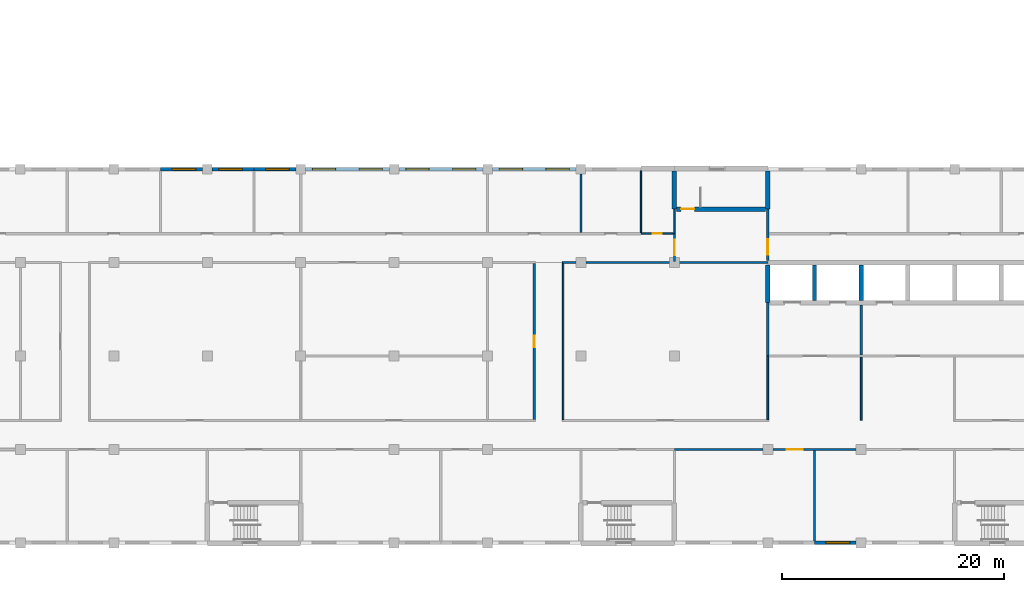
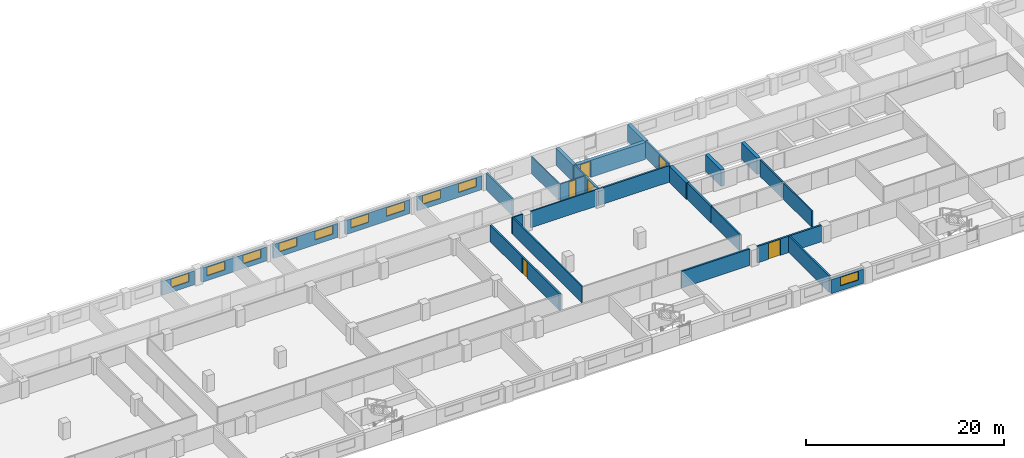
# One storey, part 35 of 48: 31 walls, 10 windows, 6 doors, 16 openings.
"""IFC4 building model written with IfcOpenShell, lengths in metres."""

from ifc_helpers import new_model, si_unit, direction, frame, frame_2d, origin, place, context, subcontext, project, spatial, rectangle, extrude, material, layer, layer_set, type_object, element, fill, save


model = new_model("IFC4")

# Units and contexts
model_context = context("Model", 3, precision=1e-05, world=origin(), true_north=direction((0.0, 1.0)))
body_context = subcontext(model_context, "Body", "Model", "MODEL_VIEW")
ifc_project = project(units=[si_unit("LENGTHUNIT", "METRE"), si_unit("AREAUNIT", "SQUARE_METRE"), si_unit("VOLUMEUNIT", "CUBIC_METRE"), si_unit("PLANEANGLEUNIT", "RADIAN"), si_unit("MASSUNIT", "GRAM", prefix="KILO")], contexts=[model_context])

# Site, building, storey
site_placement = place(None, origin())
site = spatial("IfcSite", under=ifc_project, at=site_placement, CompositionType="ELEMENT")
building_placement = place(site_placement, origin())
building = spatial("IfcBuilding", under=site, at=building_placement, Name="Yavir Park General Hospital", CompositionType="ELEMENT")
storey_placement = place(building_placement, frame((0.0, 0.0, 12.89990234375)))
storey = spatial("IfcBuildingStorey", under=building, at=storey_placement, Name="I02", CompositionType="ELEMENT", Elevation=12.89990234375)

# Wall
ifc_material_1 = material(Name="Double gypsum board fire partition on steel studs", Category="steel")
ifc_layer_1 = layer(ifc_material_1, 0.199951171875)
ifc_layer_set_1 = layer_set([ifc_layer_1], Name="Double gypsum board fire partition on steel studs")
wall_type_1 = type_object("IfcWallType", Name="Fire-rated partition 200, EI 60", PredefinedType="PARTITIONING", material=ifc_layer_set_1)
wall_1_placement = place(storey_placement, frame((109.199951171875, 25.199951171875, 0.0), z_axis=(0.0, 0.0, 1.0), x_axis=(1.0, 0.0, 0.0)))
element("IfcWall", 1, at=wall_1_placement, inside=storey, type_object=wall_type_1, Name="FP20 I02-056", PredefinedType="PARTITIONING", context=body_context, shape_type="SweptSolid", body=[
    extrude(rectangle(XDim=8.400146484375, YDim=0.199951171875, at=frame_2d((4.2001953125, 0.0))), origin(), (0.0, 0.0, 1.0), 2.0400390625),
])

# Wall, opening, door
wall_2_placement = place(storey_placement, frame((109.199951171875, 25.300048828125, 0.0), z_axis=(0.0, 0.0, 1.0), x_axis=(0.0, 1.0, 0.0)))
wall_2 = element("IfcWall", 2, at=wall_2_placement, inside=storey, type_object=wall_type_1, Name="FP20 I02-174", PredefinedType="PARTITIONING", context=body_context, shape_type="SweptSolid", body=[
    extrude(rectangle(XDim=2.5, YDim=0.199951171875, at=frame_2d((1.25, 0.0))), origin(), (0.0, 0.0, 1.0), 2.10009765625),
])
opening_1_placement = place(wall_2_placement, frame((0.550048828125, 0.0, 0.0)))
opening_1 = element("IfcOpeningElement", 3, at=opening_1_placement, cuts=wall_2, Name="Opening I02.D084", PredefinedType="OPENING", context=body_context, shape_type="SweptSolid", body=[
    extrude(rectangle(XDim=1.39990234375, YDim=2.0, at=frame_2d((0.699951171875, 1.0))), frame((0.0, 0.10986328125, 0.0), z_axis=(0.0, -1.0, 0.0), x_axis=(1.0, 0.0, 0.0)), (0.0, 0.0, 1.0), 0.219970703125),
])
ifc_material_2 = material(Name="Steel frame, fire-resisting leaves with vision panels", Category="steel")
door_type_1 = type_object("IfcDoorType", Name="Double fire door with vision panels 1400 x 2000, EI 60", OperationType="DOUBLE_DOOR_SINGLE_SWING", PredefinedType="DOOR", material=ifc_material_2)
door_1_placement = place(opening_1_placement, origin())
door_1 = element("IfcDoor", 4, at=door_1_placement, inside=storey, type_object=door_type_1, Name="I02.D084", OperationType="SINGLE_SWING_LEFT", OverallHeight=2.0, OverallWidth=1.39990234375, PredefinedType="DOOR", context=body_context, shape_type="SweptSolid", body=[
    extrude(rectangle(XDim=1.39990234375, YDim=2.0, at=frame_2d((0.699951171875, 1.0))), frame((0.0, 0.030029296875, 0.0), z_axis=(0.0, -1.0, 0.0), x_axis=(1.0, 0.0, 0.0)), (0.0, 0.0, 1.0), 0.06005859375),
])
fill(opening_1, door_1)

# Wall
wall_3_placement = place(storey_placement, frame((117.60009765625, 16.800048828125, 0.0), z_axis=(0.0, 0.0, 1.0), x_axis=(0.0, 1.0, 0.0)))
element("IfcWall", 5, at=wall_3_placement, inside=storey, type_object=wall_type_1, Name="FP20 I02-178", PredefinedType="PARTITIONING", context=body_context, shape_type="SweptSolid", body=[
    extrude(rectangle(XDim=4.800048828125, YDim=0.199951171875, at=frame_2d((2.39990234375, 0.0))), origin(), (0.0, 0.0, 1.0), 2.0400390625),
])

# Wall, opening, door
wall_4_placement = place(storey_placement, frame((117.60009765625, 25.39990234375, 0.0), z_axis=(0.0, 0.0, 1.0), x_axis=(0.0, 1.0, 0.0)))
wall_4 = element("IfcWall", 6, at=wall_4_placement, inside=storey, type_object=wall_type_1, Name="FP20 I02-180", PredefinedType="PARTITIONING", context=body_context, shape_type="SweptSolid", body=[
    extrude(rectangle(XDim=4.60009765625, YDim=0.199951171875, at=frame_2d((2.300048828125, 0.0))), origin(), (0.0, 0.0, 1.0), 2.10009765625),
])
opening_2_placement = place(wall_4_placement, frame((0.5, 0.0, 0.0)))
opening_2 = element("IfcOpeningElement", 7, at=opening_2_placement, cuts=wall_4, Name="Opening I02.D085", PredefinedType="OPENING", context=body_context, shape_type="SweptSolid", body=[
    extrude(rectangle(XDim=1.39990234375, YDim=2.0, at=frame_2d((0.699951171875, 1.0))), frame((0.0, 0.10986328125, 0.0), z_axis=(0.0, -1.0, 0.0), x_axis=(1.0, 0.0, 0.0)), (0.0, 0.0, 1.0), 0.219970703125),
])
door_2_placement = place(opening_2_placement, origin())
door_2 = element("IfcDoor", 8, at=door_2_placement, inside=storey, type_object=door_type_1, Name="I02.D085", OperationType="SINGLE_SWING_RIGHT", OverallHeight=2.0, OverallWidth=1.39990234375, PredefinedType="DOOR", context=body_context, shape_type="SweptSolid", body=[
    extrude(rectangle(XDim=1.39990234375, YDim=2.0, at=frame_2d((0.699951171875, 1.0))), frame((0.0, 0.030029296875, 0.0), z_axis=(0.0, -1.0, 0.0), x_axis=(1.0, 0.0, 0.0)), (0.0, 0.0, 1.0), 0.06005859375),
])
fill(opening_2, door_2)

# Walls
wall_5_placement = place(storey_placement, frame((126.0, 16.89990234375, 0.0), z_axis=(0.0, 0.0, 1.0), x_axis=(0.0, 1.0, 0.0)))
element("IfcWall", 9, at=wall_5_placement, inside=storey, type_object=wall_type_1, Name="FP20 I02-185", PredefinedType="PARTITIONING", context=body_context, shape_type="SweptSolid", body=[
    extrude(rectangle(XDim=4.5, YDim=0.199951171875, at=frame_2d((2.25, 0.0))), origin(), (0.0, 0.0, 1.0), 2.0400390625),
])
ifc_material_3 = material(Name="Gypsum board partition on steel studs", Category="steel")
ifc_layer_2 = layer(ifc_material_3, 0.14990234375)
ifc_layer_set_2 = layer_set([ifc_layer_2], Name="Gypsum board partition on steel studs")
wall_type_2 = type_object("IfcWallType", Name="Gypsum board partition 150", PredefinedType="PARTITIONING", material=ifc_layer_set_2)
wall_6_placement = place(storey_placement, frame((99.125, 25.199951171875, 0.0), z_axis=(0.0, 0.0, 1.0), x_axis=(1.0, 0.0, 0.0)))
element("IfcWall", 10, at=wall_6_placement, inside=storey, type_object=wall_type_2, Name="P15 I02-054", PredefinedType="PARTITIONING", context=body_context, shape_type="SweptSolid", body=[
    extrude(rectangle(XDim=1.22509765625, YDim=0.14990234375, at=frame_2d((0.612548828125, 0.0))), origin(), (0.0, 0.0, 1.0), 2.0400390625),
])
wall_7_placement = place(storey_placement, frame((101.25, 25.199951171875, 0.0), z_axis=(0.0, 0.0, 1.0), x_axis=(1.0, 0.0, 0.0)))
element("IfcWall", 11, at=wall_7_placement, inside=storey, type_object=wall_type_2, Name="P15 I02-055", PredefinedType="PARTITIONING", context=body_context, shape_type="SweptSolid", body=[
    extrude(rectangle(XDim=7.949951171875, YDim=0.14990234375, at=frame_2d((3.97509765625, 0.0))), origin(), (0.0, 0.0, 1.0), 2.0400390625),
])
wall_8_placement = place(storey_placement, frame((99.199951171875, 11.074951171875, 0.0), z_axis=(0.0, 0.0, 1.0), x_axis=(0.0, 1.0, 0.0)))
element("IfcWall", 12, at=wall_8_placement, inside=storey, type_object=wall_type_2, Name="P15 I02-167", PredefinedType="PARTITIONING", context=body_context, shape_type="SweptSolid", body=[
    extrude(rectangle(XDim=14.050048828125, YDim=0.14990234375, at=frame_2d((7.02490234375, 0.0))), origin(), (0.0, 0.0, 1.0), 2.0400390625),
])
wall_9_placement = place(storey_placement, frame((117.60009765625, 11.074951171875, 0.0), z_axis=(0.0, 0.0, 1.0), x_axis=(0.0, 1.0, 0.0)))
element("IfcWall", 13, at=wall_9_placement, inside=storey, type_object=wall_type_2, Name="P15 I02-177", PredefinedType="PARTITIONING", context=body_context, shape_type="SweptSolid", body=[
    extrude(rectangle(XDim=5.72509765625, YDim=0.14990234375, at=frame_2d((2.862548828125, 0.0))), origin(), (0.0, 0.0, 1.0), 2.0400390625),
])
wall_10_placement = place(storey_placement, frame((126.0, 11.0, 0.0), z_axis=(0.0, 0.0, 1.0), x_axis=(0.0, 1.0, 0.0)))
element("IfcWall", 14, at=wall_10_placement, inside=storey, type_object=wall_type_2, Name="P15 I02-184", PredefinedType="PARTITIONING", context=body_context, shape_type="SweptSolid", body=[
    extrude(rectangle(XDim=5.699951171875, YDim=0.14990234375, at=frame_2d((2.85009765625, 0.0))), origin(), (0.0, 0.0, 1.0), 2.0400390625),
])

# Wall, opening, window
ifc_material_4 = material(Name="Insulated sandwich panels on a Steel S355 subframe", Category="steel")
ifc_layer_3 = layer(ifc_material_4, 0.300048828125)
ifc_layer_set_3 = layer_set([ifc_layer_3], Name="Insulated sandwich panels on a Steel S355 subframe")
wall_type_3 = type_object("IfcWallType", Name="Insulated panel service floor wall 300, E 30", PredefinedType="SOLIDWALL", material=ifc_layer_set_3)
wall_11_placement = place(storey_placement, frame((121.800048828125, 0.0, 0.0), z_axis=(0.0, 0.0, 1.0), x_axis=(1.0, 0.0, 0.0)))
wall_11 = element("IfcWall", 15, at=wall_11_placement, inside=storey, type_object=wall_type_3, Name="XW5 I02-025", PredefinedType="SOLIDWALL", context=body_context, shape_type="SweptSolid", body=[
    extrude(rectangle(XDim=3.75, YDim=0.300048828125, at=frame_2d((1.875, 0.0))), origin(), (0.0, 0.0, 1.0), 1.739990234375),
])
opening_3_placement = place(wall_11_placement, frame((1.050048828125, 0.0, 0.60009765625)))
opening_3 = element("IfcOpeningElement", 16, at=opening_3_placement, cuts=wall_11, Name="Opening LV3", PredefinedType="OPENING", context=body_context, shape_type="SweptSolid", body=[
    extrude(rectangle(XDim=2.10009765625, YDim=1.050048828125, at=frame_2d((1.050048828125, 0.52490234375))), frame((0.0, 0.159912109375, 0.0), z_axis=(0.0, -1.0, 0.0), x_axis=(1.0, 0.0, 0.0)), (0.0, 0.0, 1.0), 0.320068359375),
])
ifc_material_5 = material(Name="Anodised aluminium louvre blades in a deep frame", Category="aluminium")
window_type = type_object("IfcWindowType", Name="Interstitial floor louvre 2100 x 1050", PartitioningType="SINGLE_PANEL", PredefinedType="WINDOW", material=ifc_material_5)
window_1_placement = place(opening_3_placement, origin())
window_1 = element("IfcWindow", 17, at=window_1_placement, inside=storey, type_object=window_type, Name="LV3 I02-024", OverallHeight=1.050048828125, OverallWidth=2.10009765625, PartitioningType="SINGLE_PANEL", PredefinedType="WINDOW", context=body_context, shape_type="SweptSolid", body=[
    extrude(rectangle(XDim=2.10009765625, YDim=1.050048828125, at=frame_2d((1.050048828125, 0.52490234375))), frame((0.0, 0.074951171875, 0.0), z_axis=(0.0, -1.0, 0.0), x_axis=(1.0, 0.0, 0.0)), (0.0, 0.0, 1.0), 0.14990234375),
])
fill(opening_3, window_1)

wall_12_placement = place(storey_placement, frame((63.0, 33.60009765625, 0.0), z_axis=(0.0, 0.0, 1.0), x_axis=(1.0, 0.0, 0.0)))
wall_12 = element("IfcWall", 18, at=wall_12_placement, inside=storey, type_object=wall_type_3, Name="XW5 I02-042", PredefinedType="SOLIDWALL", context=body_context, shape_type="SweptSolid", body=[
    extrude(rectangle(XDim=3.77490234375, YDim=0.300048828125, at=frame_2d((1.887451171875, 0.0))), origin(), (0.0, 0.0, 1.0), 1.739990234375),
])
opening_4_placement = place(wall_12_placement, frame((1.050048828125, 0.0, 0.60009765625)))
opening_4 = element("IfcOpeningElement", 19, at=opening_4_placement, cuts=wall_12, Name="Opening LV3", PredefinedType="OPENING", context=body_context, shape_type="SweptSolid", body=[
    extrude(rectangle(XDim=2.10009765625, YDim=1.050048828125, at=frame_2d((1.050048828125, 0.52490234375))), frame((0.0, 0.159912109375, 0.0), z_axis=(0.0, -1.0, 0.0), x_axis=(1.0, 0.0, 0.0)), (0.0, 0.0, 1.0), 0.320068359375),
])
window_2_placement = place(opening_4_placement, origin())
window_2 = element("IfcWindow", 20, at=window_2_placement, inside=storey, type_object=window_type, Name="LV3 I02-039", OverallHeight=1.050048828125, OverallWidth=2.10009765625, PartitioningType="SINGLE_PANEL", PredefinedType="WINDOW", context=body_context, shape_type="SweptSolid", body=[
    extrude(rectangle(XDim=2.10009765625, YDim=1.050048828125, at=frame_2d((1.050048828125, 0.52490234375))), frame((0.0, 0.074951171875, 0.0), z_axis=(0.0, -1.0, 0.0), x_axis=(1.0, 0.0, 0.0)), (0.0, 0.0, 1.0), 0.14990234375),
])
fill(opening_4, window_2)

wall_13_placement = place(storey_placement, frame((67.625, 33.60009765625, 0.0), z_axis=(0.0, 0.0, 1.0), x_axis=(1.0, 0.0, 0.0)))
wall_13 = element("IfcWall", 21, at=wall_13_placement, inside=storey, type_object=wall_type_3, Name="XW5 I02-043", PredefinedType="SOLIDWALL", context=body_context, shape_type="SweptSolid", body=[
    extrude(rectangle(XDim=3.77490234375, YDim=0.300048828125, at=frame_2d((1.887451171875, 0.0))), origin(), (0.0, 0.0, 1.0), 1.739990234375),
])
opening_5_placement = place(wall_13_placement, frame((0.625, 0.0, 0.60009765625)))
opening_5 = element("IfcOpeningElement", 22, at=opening_5_placement, cuts=wall_13, Name="Opening LV3", PredefinedType="OPENING", context=body_context, shape_type="SweptSolid", body=[
    extrude(rectangle(XDim=2.10009765625, YDim=1.050048828125, at=frame_2d((1.050048828125, 0.52490234375))), frame((0.0, 0.159912109375, 0.0), z_axis=(0.0, -1.0, 0.0), x_axis=(1.0, 0.0, 0.0)), (0.0, 0.0, 1.0), 0.320068359375),
])
window_3_placement = place(opening_5_placement, origin())
window_3 = element("IfcWindow", 23, at=window_3_placement, inside=storey, type_object=window_type, Name="LV3 I02-040", OverallHeight=1.050048828125, OverallWidth=2.10009765625, PartitioningType="SINGLE_PANEL", PredefinedType="WINDOW", context=body_context, shape_type="SweptSolid", body=[
    extrude(rectangle(XDim=2.10009765625, YDim=1.050048828125, at=frame_2d((1.050048828125, 0.52490234375))), frame((0.0, 0.074951171875, 0.0), z_axis=(0.0, -1.0, 0.0), x_axis=(1.0, 0.0, 0.0)), (0.0, 0.0, 1.0), 0.14990234375),
])
fill(opening_5, window_3)

wall_14_placement = place(storey_placement, frame((71.39990234375, 33.60009765625, 0.0), z_axis=(0.0, 0.0, 1.0), x_axis=(1.0, 0.0, 0.0)))
wall_14 = element("IfcWall", 24, at=wall_14_placement, inside=storey, type_object=wall_type_3, Name="XW5 I02-044", PredefinedType="SOLIDWALL", context=body_context, shape_type="SweptSolid", body=[
    extrude(rectangle(XDim=3.775146484375, YDim=0.300048828125, at=frame_2d((1.8876953125, 0.0))), origin(), (0.0, 0.0, 1.0), 1.739990234375),
])
opening_6_placement = place(wall_14_placement, frame((1.050048828125, 0.0, 0.60009765625)))
opening_6 = element("IfcOpeningElement", 25, at=opening_6_placement, cuts=wall_14, Name="Opening LV3", PredefinedType="OPENING", context=body_context, shape_type="SweptSolid", body=[
    extrude(rectangle(XDim=2.10009765625, YDim=1.050048828125, at=frame_2d((1.050048828125, 0.52490234375))), frame((0.0, 0.159912109375, 0.0), z_axis=(0.0, -1.0, 0.0), x_axis=(1.0, 0.0, 0.0)), (0.0, 0.0, 1.0), 0.320068359375),
])
window_4_placement = place(opening_6_placement, origin())
window_4 = element("IfcWindow", 26, at=window_4_placement, inside=storey, type_object=window_type, Name="LV3 I02-041", OverallHeight=1.050048828125, OverallWidth=2.10009765625, PartitioningType="SINGLE_PANEL", PredefinedType="WINDOW", context=body_context, shape_type="SweptSolid", body=[
    extrude(rectangle(XDim=2.10009765625, YDim=1.050048828125, at=frame_2d((1.050048828125, 0.52490234375))), frame((0.0, 0.074951171875, 0.0), z_axis=(0.0, -1.0, 0.0), x_axis=(1.0, 0.0, 0.0)), (0.0, 0.0, 1.0), 0.14990234375),
])
fill(opening_6, window_4)

# Wall, openings, windows
wall_15_placement = place(storey_placement, frame((76.02490234375, 33.60009765625, 0.0), z_axis=(0.0, 0.0, 1.0), x_axis=(1.0, 0.0, 0.0)))
wall_15 = element("IfcWall", 27, at=wall_15_placement, inside=storey, type_object=wall_type_3, Name="XW5 I02-045", PredefinedType="SOLIDWALL", context=body_context, shape_type="SweptSolid", body=[
    extrude(rectangle(XDim=7.550048828125, YDim=0.300048828125, at=frame_2d((3.77490234375, 0.0))), origin(), (0.0, 0.0, 1.0), 1.739990234375),
])
opening_7_placement = place(wall_15_placement, frame((0.625, 0.0, 0.60009765625)))
opening_7 = element("IfcOpeningElement", 28, at=opening_7_placement, cuts=wall_15, Name="Opening LV3", PredefinedType="OPENING", context=body_context, shape_type="SweptSolid", body=[
    extrude(rectangle(XDim=2.10009765625, YDim=1.050048828125, at=frame_2d((1.050048828125, 0.52490234375))), frame((0.0, 0.159912109375, 0.0), z_axis=(0.0, -1.0, 0.0), x_axis=(1.0, 0.0, 0.0)), (0.0, 0.0, 1.0), 0.320068359375),
])
opening_8_placement = place(wall_15_placement, frame((4.824951171875, 0.0, 0.60009765625)))
opening_8 = element("IfcOpeningElement", 29, at=opening_8_placement, cuts=wall_15, Name="Opening LV3", PredefinedType="OPENING", context=body_context, shape_type="SweptSolid", body=[
    extrude(rectangle(XDim=2.10009765625, YDim=1.050048828125, at=frame_2d((1.050048828125, 0.52490234375))), frame((0.0, 0.159912109375, 0.0), z_axis=(0.0, -1.0, 0.0), x_axis=(1.0, 0.0, 0.0)), (0.0, 0.0, 1.0), 0.320068359375),
])
window_5_placement = place(opening_7_placement, origin())
window_5 = element("IfcWindow", 30, at=window_5_placement, inside=storey, type_object=window_type, Name="LV3 I02-042", OverallHeight=1.050048828125, OverallWidth=2.10009765625, PartitioningType="SINGLE_PANEL", PredefinedType="WINDOW", context=body_context, shape_type="SweptSolid", body=[
    extrude(rectangle(XDim=2.10009765625, YDim=1.050048828125, at=frame_2d((1.050048828125, 0.52490234375))), frame((0.0, 0.074951171875, 0.0), z_axis=(0.0, -1.0, 0.0), x_axis=(1.0, 0.0, 0.0)), (0.0, 0.0, 1.0), 0.14990234375),
])
fill(opening_7, window_5)
window_6_placement = place(opening_8_placement, origin())
window_6 = element("IfcWindow", 31, at=window_6_placement, inside=storey, type_object=window_type, Name="LV3 I02-043", OverallHeight=1.050048828125, OverallWidth=2.10009765625, PartitioningType="SINGLE_PANEL", PredefinedType="WINDOW", context=body_context, shape_type="SweptSolid", body=[
    extrude(rectangle(XDim=2.10009765625, YDim=1.050048828125, at=frame_2d((1.050048828125, 0.52490234375))), frame((0.0, 0.074951171875, 0.0), z_axis=(0.0, -1.0, 0.0), x_axis=(1.0, 0.0, 0.0)), (0.0, 0.0, 1.0), 0.14990234375),
])
fill(opening_8, window_6)

wall_16_placement = place(storey_placement, frame((84.425048828125, 33.60009765625, 0.0), z_axis=(0.0, 0.0, 1.0), x_axis=(1.0, 0.0, 0.0)))
wall_16 = element("IfcWall", 32, at=wall_16_placement, inside=storey, type_object=wall_type_3, Name="XW5 I02-046", PredefinedType="SOLIDWALL", context=body_context, shape_type="SweptSolid", body=[
    extrude(rectangle(XDim=7.550048828125, YDim=0.300048828125, at=frame_2d((3.77490234375, 0.0))), origin(), (0.0, 0.0, 1.0), 1.739990234375),
])
opening_9_placement = place(wall_16_placement, frame((0.625, 0.0, 0.60009765625)))
opening_9 = element("IfcOpeningElement", 33, at=opening_9_placement, cuts=wall_16, Name="Opening LV3", PredefinedType="OPENING", context=body_context, shape_type="SweptSolid", body=[
    extrude(rectangle(XDim=2.10009765625, YDim=1.050048828125, at=frame_2d((1.050048828125, 0.52490234375))), frame((0.0, 0.159912109375, 0.0), z_axis=(0.0, -1.0, 0.0), x_axis=(1.0, 0.0, 0.0)), (0.0, 0.0, 1.0), 0.320068359375),
])
opening_10_placement = place(wall_16_placement, frame((4.824951171875, 0.0, 0.60009765625)))
opening_10 = element("IfcOpeningElement", 34, at=opening_10_placement, cuts=wall_16, Name="Opening LV3", PredefinedType="OPENING", context=body_context, shape_type="SweptSolid", body=[
    extrude(rectangle(XDim=2.10009765625, YDim=1.050048828125, at=frame_2d((1.050048828125, 0.52490234375))), frame((0.0, 0.159912109375, 0.0), z_axis=(0.0, -1.0, 0.0), x_axis=(1.0, 0.0, 0.0)), (0.0, 0.0, 1.0), 0.320068359375),
])
window_7_placement = place(opening_9_placement, origin())
window_7 = element("IfcWindow", 35, at=window_7_placement, inside=storey, type_object=window_type, Name="LV3 I02-044", OverallHeight=1.050048828125, OverallWidth=2.10009765625, PartitioningType="SINGLE_PANEL", PredefinedType="WINDOW", context=body_context, shape_type="SweptSolid", body=[
    extrude(rectangle(XDim=2.10009765625, YDim=1.050048828125, at=frame_2d((1.050048828125, 0.52490234375))), frame((0.0, 0.074951171875, 0.0), z_axis=(0.0, -1.0, 0.0), x_axis=(1.0, 0.0, 0.0)), (0.0, 0.0, 1.0), 0.14990234375),
])
fill(opening_9, window_7)
window_8_placement = place(opening_10_placement, origin())
window_8 = element("IfcWindow", 36, at=window_8_placement, inside=storey, type_object=window_type, Name="LV3 I02-045", OverallHeight=1.050048828125, OverallWidth=2.10009765625, PartitioningType="SINGLE_PANEL", PredefinedType="WINDOW", context=body_context, shape_type="SweptSolid", body=[
    extrude(rectangle(XDim=2.10009765625, YDim=1.050048828125, at=frame_2d((1.050048828125, 0.52490234375))), frame((0.0, 0.074951171875, 0.0), z_axis=(0.0, -1.0, 0.0), x_axis=(1.0, 0.0, 0.0)), (0.0, 0.0, 1.0), 0.14990234375),
])
fill(opening_10, window_8)

wall_17_placement = place(storey_placement, frame((92.824951171875, 33.60009765625, 0.0), z_axis=(0.0, 0.0, 1.0), x_axis=(1.0, 0.0, 0.0)))
wall_17 = element("IfcWall", 37, at=wall_17_placement, inside=storey, type_object=wall_type_3, Name="XW5 I02-047", PredefinedType="SOLIDWALL", context=body_context, shape_type="SweptSolid", body=[
    extrude(rectangle(XDim=7.550048828125, YDim=0.300048828125, at=frame_2d((3.77490234375, 0.0))), origin(), (0.0, 0.0, 1.0), 1.739990234375),
])
opening_11_placement = place(wall_17_placement, frame((0.625, 0.0, 0.60009765625)))
opening_11 = element("IfcOpeningElement", 38, at=opening_11_placement, cuts=wall_17, Name="Opening LV3", PredefinedType="OPENING", context=body_context, shape_type="SweptSolid", body=[
    extrude(rectangle(XDim=2.10009765625, YDim=1.050048828125, at=frame_2d((1.050048828125, 0.52490234375))), frame((0.0, 0.159912109375, 0.0), z_axis=(0.0, -1.0, 0.0), x_axis=(1.0, 0.0, 0.0)), (0.0, 0.0, 1.0), 0.320068359375),
])
opening_12_placement = place(wall_17_placement, frame((4.824951171875, 0.0, 0.60009765625)))
opening_12 = element("IfcOpeningElement", 39, at=opening_12_placement, cuts=wall_17, Name="Opening LV3", PredefinedType="OPENING", context=body_context, shape_type="SweptSolid", body=[
    extrude(rectangle(XDim=2.10009765625, YDim=1.050048828125, at=frame_2d((1.050048828125, 0.52490234375))), frame((0.0, 0.159912109375, 0.0), z_axis=(0.0, -1.0, 0.0), x_axis=(1.0, 0.0, 0.0)), (0.0, 0.0, 1.0), 0.320068359375),
])
window_9_placement = place(opening_11_placement, origin())
window_9 = element("IfcWindow", 40, at=window_9_placement, inside=storey, type_object=window_type, Name="LV3 I02-046", OverallHeight=1.050048828125, OverallWidth=2.10009765625, PartitioningType="SINGLE_PANEL", PredefinedType="WINDOW", context=body_context, shape_type="SweptSolid", body=[
    extrude(rectangle(XDim=2.10009765625, YDim=1.050048828125, at=frame_2d((1.050048828125, 0.52490234375))), frame((0.0, 0.074951171875, 0.0), z_axis=(0.0, -1.0, 0.0), x_axis=(1.0, 0.0, 0.0)), (0.0, 0.0, 1.0), 0.14990234375),
])
fill(opening_11, window_9)
window_10_placement = place(opening_12_placement, origin())
window_10 = element("IfcWindow", 41, at=window_10_placement, inside=storey, type_object=window_type, Name="LV3 I02-047", OverallHeight=1.050048828125, OverallWidth=2.10009765625, PartitioningType="SINGLE_PANEL", PredefinedType="WINDOW", context=body_context, shape_type="SweptSolid", body=[
    extrude(rectangle(XDim=2.10009765625, YDim=1.050048828125, at=frame_2d((1.050048828125, 0.52490234375))), frame((0.0, 0.074951171875, 0.0), z_axis=(0.0, -1.0, 0.0), x_axis=(1.0, 0.0, 0.0)), (0.0, 0.0, 1.0), 0.14990234375),
])
fill(opening_12, window_10)

# Wall
ifc_material_6 = material(Name="Clay block masonry infill", Category="masonry")
ifc_layer_4 = layer(ifc_material_6, 0.199951171875)
ifc_layer_set_4 = layer_set([ifc_layer_4], Name="Clay block masonry infill")
wall_type_4 = type_object("IfcWallType", Name="Masonry infill wall 200", PredefinedType="SOLIDWALL", material=ifc_layer_set_4)
wall_18_placement = place(storey_placement, frame((109.199951171875, 8.39990234375, 0.0), z_axis=(0.0, 0.0, 1.0), x_axis=(1.0, 0.0, 0.0)))
element("IfcWall", 42, at=wall_18_placement, inside=storey, type_object=wall_type_4, Name="MW20 I02-015", PredefinedType="SOLIDWALL", context=body_context, shape_type="SweptSolid", body=[
    extrude(rectangle(XDim=7.949951171875, YDim=0.199951171875, at=frame_2d((3.97509765625, 0.0))), origin(), (0.0, 0.0, 1.0), 2.0400390625),
])

# Wall, opening, door
wall_19_placement = place(storey_placement, frame((118.050048828125, 8.39990234375, 0.0), z_axis=(0.0, 0.0, 1.0), x_axis=(1.0, 0.0, 0.0)))
wall_19 = element("IfcWall", 43, at=wall_19_placement, inside=storey, type_object=wall_type_4, Name="MW20 I02-016", PredefinedType="SOLIDWALL", context=body_context, shape_type="SweptSolid", body=[
    extrude(rectangle(XDim=7.5, YDim=0.199951171875, at=frame_2d((3.75, 0.0))), origin(), (0.0, 0.0, 1.0), 2.0400390625),
])
opening_13_placement = place(wall_19_placement, frame((1.27490234375, 0.0, 0.0)))
opening_13 = element("IfcOpeningElement", 44, at=opening_13_placement, cuts=wall_19, Name="Opening I02.D013", PredefinedType="OPENING", context=body_context, shape_type="SweptSolid", body=[
    extrude(rectangle(XDim=1.39990234375, YDim=2.0, at=frame_2d((0.699951171875, 1.0))), frame((0.0, 0.10986328125, 0.0), z_axis=(0.0, -1.0, 0.0), x_axis=(1.0, 0.0, 0.0)), (0.0, 0.0, 1.0), 0.219970703125),
])
ifc_material_7 = material(Name="Hollow metal frame, solid-core timber leaf", Category="wood")
door_type_2 = type_object("IfcDoorType", Name="Double swing door 1400 x 2000", OperationType="DOUBLE_DOOR_SINGLE_SWING", PredefinedType="DOOR", material=ifc_material_7)
door_3_placement = place(opening_13_placement, origin())
door_3 = element("IfcDoor", 45, at=door_3_placement, inside=storey, type_object=door_type_2, Name="I02.D013", OperationType="SINGLE_SWING_RIGHT", OverallHeight=2.0, OverallWidth=1.39990234375, PredefinedType="DOOR", context=body_context, shape_type="SweptSolid", body=[
    extrude(rectangle(XDim=1.39990234375, YDim=2.0, at=frame_2d((0.699951171875, 1.0))), frame((0.0, 0.02490234375, 0.0), z_axis=(0.0, -1.0, 0.0), x_axis=(1.0, 0.0, 0.0)), (0.0, 0.0, 1.0), 0.050048828125),
])
fill(opening_13, door_3)

wall_20_placement = place(storey_placement, frame((96.60009765625, 11.10009765625, 0.0), z_axis=(0.0, 0.0, 1.0), x_axis=(0.0, 1.0, 0.0)))
wall_20 = element("IfcWall", 46, at=wall_20_placement, inside=storey, type_object=wall_type_4, Name="MW20 I02-166", PredefinedType="SOLIDWALL", context=body_context, shape_type="SweptSolid", body=[
    extrude(rectangle(XDim=14.0, YDim=0.199951171875, at=frame_2d((7.0, 0.0))), origin(), (0.0, 0.0, 1.0), 2.0400390625),
])
opening_14_placement = place(wall_20_placement, frame((6.5, 0.0, 0.0)))
opening_14 = element("IfcOpeningElement", 47, at=opening_14_placement, cuts=wall_20, Name="Opening I02.D083", PredefinedType="OPENING", context=body_context, shape_type="SweptSolid", body=[
    extrude(rectangle(XDim=1.0, YDim=2.0, at=frame_2d((0.5, 1.0))), frame((0.0, 0.10986328125, 0.0), z_axis=(0.0, -1.0, 0.0), x_axis=(1.0, 0.0, 0.0)), (0.0, 0.0, 1.0), 0.219970703125),
])
ifc_material_8 = material(Name="Hollow metal frame, solid-core timber leaf", Category="wood")
door_type_3 = type_object("IfcDoorType", Name="Single swing door 1000 x 2000", OperationType="SINGLE_SWING_LEFT", PredefinedType="DOOR", material=ifc_material_8)
door_4_placement = place(opening_14_placement, origin())
door_4 = element("IfcDoor", 48, at=door_4_placement, inside=storey, type_object=door_type_3, Name="I02.D083", OperationType="SINGLE_SWING_RIGHT", OverallHeight=2.0, OverallWidth=1.0, PredefinedType="DOOR", context=body_context, shape_type="SweptSolid", body=[
    extrude(rectangle(XDim=1.0, YDim=2.0, at=frame_2d((0.5, 1.0))), frame((0.0, 0.02490234375, 0.0), z_axis=(0.0, -1.0, 0.0), x_axis=(1.0, 0.0, 0.0)), (0.0, 0.0, 1.0), 0.050048828125),
])
fill(opening_14, door_4)

# Walls
wall_21_placement = place(storey_placement, frame((100.800048828125, 27.89990234375, 0.0), z_axis=(0.0, 0.0, 1.0), x_axis=(0.0, 1.0, 0.0)))
element("IfcWall", 49, at=wall_21_placement, inside=storey, type_object=wall_type_4, Name="MW20 I02-170", PredefinedType="SOLIDWALL", context=body_context, shape_type="SweptSolid", body=[
    extrude(rectangle(XDim=5.275146484375, YDim=0.199951171875, at=frame_2d((2.6376953125, 0.0))), origin(), (0.0, 0.0, 1.0), 2.10009765625),
])
wall_22_placement = place(storey_placement, frame((121.800048828125, 0.14990234375, 0.0), z_axis=(0.0, 0.0, 1.0), x_axis=(0.0, 1.0, 0.0)))
element("IfcWall", 50, at=wall_22_placement, inside=storey, type_object=wall_type_4, Name="MW20 I02-182", PredefinedType="SOLIDWALL", context=body_context, shape_type="SweptSolid", body=[
    extrude(rectangle(XDim=8.150146484375, YDim=0.199951171875, at=frame_2d((4.0751953125, 0.0))), origin(), (0.0, 0.0, 1.0), 2.0400390625),
])

# Wall, opening, door
ifc_material_9 = material(Name="Concrete C35/45", Category="concrete")
ifc_layer_5 = layer(ifc_material_9, 0.39990234375)
ifc_layer_set_5 = layer_set([ifc_layer_5], Name="Concrete C35/45")
wall_type_5 = type_object("IfcWallType", Name="Reinforced concrete core wall 400, REI 150", PredefinedType="SHEAR", material=ifc_layer_set_5)
wall_23_placement = place(storey_placement, frame((109.39990234375, 30.0, 0.0), z_axis=(0.0, 0.0, 1.0), x_axis=(1.0, 0.0, 0.0)))
wall_23 = element("IfcWall", 51, at=wall_23_placement, inside=storey, type_object=wall_type_5, Name="CW40 I02-069", PredefinedType="SHEAR", context=body_context, shape_type="SweptSolid", body=[
    extrude(rectangle(XDim=8.0, YDim=0.39990234375, at=frame_2d((4.0, 0.0))), origin(), (0.0, 0.0, 1.0), 2.10009765625),
])
opening_15_placement = place(wall_23_placement, frame((0.39990234375, 0.0, 0.0)))
opening_15 = element("IfcOpeningElement", 52, at=opening_15_placement, cuts=wall_23, Name="Opening I02.D052", PredefinedType="OPENING", context=body_context, shape_type="SweptSolid", body=[
    extrude(rectangle(XDim=1.199951171875, YDim=2.0, at=frame_2d((0.60009765625, 1.0))), frame((0.0, 0.2099609375, 0.0), z_axis=(0.0, -1.0, 0.0), x_axis=(1.0, 0.0, 0.0)), (0.0, 0.0, 1.0), 0.419921875),
])
ifc_material_10 = material(Name="Steel frame, fire-resisting timber leaf", Category="steel")
door_type_4 = type_object("IfcDoorType", Name="Fire door 1200 x 2000, EI 60", OperationType="SINGLE_SWING_LEFT", PredefinedType="DOOR", material=ifc_material_10)
door_5_placement = place(opening_15_placement, origin())
door_5 = element("IfcDoor", 53, at=door_5_placement, inside=storey, type_object=door_type_4, Name="I02.D052", OperationType="SINGLE_SWING_RIGHT", OverallHeight=2.0, OverallWidth=1.199951171875, PredefinedType="DOOR", context=body_context, shape_type="SweptSolid", body=[
    extrude(rectangle(XDim=1.199951171875, YDim=2.0, at=frame_2d((0.60009765625, 1.0))), frame((0.0, 0.02490234375, 0.0), z_axis=(0.0, -1.0, 0.0), x_axis=(1.0, 0.0, 0.0)), (0.0, 0.0, 1.0), 0.050048828125),
])
fill(opening_15, door_5)

# Walls
wall_24_placement = place(storey_placement, frame((109.199951171875, 30.0, 0.0), z_axis=(0.0, 0.0, 1.0), x_axis=(0.0, 1.0, 0.0)))
element("IfcWall", 54, at=wall_24_placement, inside=storey, type_object=wall_type_5, Name="CW40 I02-176", PredefinedType="SHEAR", context=body_context, shape_type="SweptSolid", body=[
    extrude(rectangle(XDim=3.449951171875, YDim=0.39990234375, at=frame_2d((1.72509765625, 0.0))), origin(), (0.0, 0.0, 1.0), 2.10009765625),
])
wall_25_placement = place(storey_placement, frame((117.60009765625, 21.60009765625, 0.0), z_axis=(0.0, 0.0, 1.0), x_axis=(0.0, 1.0, 0.0)))
element("IfcWall", 55, at=wall_25_placement, inside=storey, type_object=wall_type_5, Name="CW40 I02-179", PredefinedType="SHEAR", context=body_context, shape_type="SweptSolid", body=[
    extrude(rectangle(XDim=3.39990234375, YDim=0.39990234375, at=frame_2d((1.699951171875, 0.0))), origin(), (0.0, 0.0, 1.0), 2.0400390625),
])
wall_26_placement = place(storey_placement, frame((117.60009765625, 30.0, 0.0), z_axis=(0.0, 0.0, 1.0), x_axis=(0.0, 1.0, 0.0)))
element("IfcWall", 56, at=wall_26_placement, inside=storey, type_object=wall_type_5, Name="CW40 I02-181", PredefinedType="SHEAR", context=body_context, shape_type="SweptSolid", body=[
    extrude(rectangle(XDim=3.449951171875, YDim=0.39990234375, at=frame_2d((1.72509765625, 0.0))), origin(), (0.0, 0.0, 1.0), 2.10009765625),
])
for number, where, z_axis, x_axis, name in (
    (57, (121.800048828125, 21.800048828125, 0.0), (0.0, 0.0, 1.0), (0.0, 1.0, 0.0), "CW40 I02-183"),
    (58, (126.0, 21.800048828125, 0.0), (0.0, 0.0, 1.0), (0.0, 1.0, 0.0), "CW40 I02-186"),
):
    element("IfcWall", number, at=place(storey_placement, frame(where, z_axis=z_axis, x_axis=x_axis)), inside=storey, type_object=wall_type_5, Name=name, PredefinedType="SHEAR", context=body_context, shape_type="SweptSolid", body=[
        extrude(rectangle(XDim=3.199951171875, YDim=0.39990234375, at=frame_2d((1.60009765625, 0.0))), origin(), (0.0, 0.0, 1.0), 2.0400390625),
    ])

# Wall, opening, door
ifc_material_11 = material(Name="Gypsum shaft wall system on steel studs", Category="steel")
ifc_layer_6 = layer(ifc_material_11, 0.125)
ifc_layer_set_6 = layer_set([ifc_layer_6], Name="Gypsum shaft wall system on steel studs")
wall_type_6 = type_object("IfcWallType", Name="Shaft wall 125, EI 90", PredefinedType="SOLIDWALL", material=ifc_layer_set_6)
wall_27_placement = place(storey_placement, frame((106.199951171875, 27.800048828125, 0.0), z_axis=(0.0, 0.0, 1.0), x_axis=(1.0, 0.0, 0.0)))
wall_27 = element("IfcWall", 59, at=wall_27_placement, inside=storey, type_object=wall_type_6, Name="SW125 I02-066", PredefinedType="SOLIDWALL", context=body_context, shape_type="SweptSolid", body=[
    extrude(rectangle(XDim=2.900146484375, YDim=0.125, at=frame_2d((1.4501953125, 0.0))), origin(), (0.0, 0.0, 1.0), 2.10009765625),
])
opening_16_placement = place(wall_27_placement, frame((1.050048828125, 0.0, 0.0)))
opening_16 = element("IfcOpeningElement", 60, at=opening_16_placement, cuts=wall_27, Name="Opening I02.D045", PredefinedType="OPENING", context=body_context, shape_type="SweptSolid", body=[
    extrude(rectangle(XDim=0.800048828125, YDim=2.0, at=frame_2d((0.39990234375, 1.0))), frame((0.0, 0.072509765625, 0.0), z_axis=(0.0, -1.0, 0.0), x_axis=(1.0, 0.0, 0.0)), (0.0, 0.0, 1.0), 0.14501953125),
])
ifc_material_12 = material(Name="Steel frame, fire-resisting access leaf", Category="steel")
door_type_5 = type_object("IfcDoorType", Name="Fire-resisting riser access door 800 x 2000, EI 90", OperationType="SINGLE_SWING_LEFT", PredefinedType="DOOR", material=ifc_material_12)
door_6_placement = place(opening_16_placement, origin())
door_6 = element("IfcDoor", 61, at=door_6_placement, inside=storey, type_object=door_type_5, Name="I02.D045", OperationType="SINGLE_SWING_LEFT", OverallHeight=2.0, OverallWidth=0.800048828125, PredefinedType="DOOR", context=body_context, shape_type="SweptSolid", body=[
    extrude(rectangle(XDim=0.800048828125, YDim=2.0, at=frame_2d((0.39990234375, 1.0))), frame((0.0, 0.030029296875, 0.0), z_axis=(0.0, -1.0, 0.0), x_axis=(1.0, 0.0, 0.0)), (0.0, 0.0, 1.0), 0.06005859375),
])
fill(opening_16, door_6)

# Walls
wall_28_placement = place(storey_placement, frame((106.199951171875, 27.89990234375, 0.0), z_axis=(0.0, 0.0, 1.0), x_axis=(0.0, 1.0, 0.0)))
element("IfcWall", 62, at=wall_28_placement, inside=storey, type_object=wall_type_6, Name="SW125 I02-171", PredefinedType="SOLIDWALL", context=body_context, shape_type="SweptSolid", body=[
    extrude(rectangle(XDim=5.550048828125, YDim=0.125, at=frame_2d((2.77490234375, 0.0))), origin(), (0.0, 0.0, 1.0), 2.10009765625),
])
wall_29_placement = place(storey_placement, frame((109.199951171875, 27.800048828125, 0.0), z_axis=(0.0, 0.0, 1.0), x_axis=(0.0, 1.0, 0.0)))
element("IfcWall", 63, at=wall_29_placement, inside=storey, type_object=wall_type_6, Name="SW125 I02-175", PredefinedType="SOLIDWALL", context=body_context, shape_type="SweptSolid", body=[
    extrude(rectangle(XDim=2.199951171875, YDim=0.125, at=frame_2d((1.10009765625, 0.0))), origin(), (0.0, 0.0, 1.0), 2.10009765625),
])

save(model, "model.ifc")
